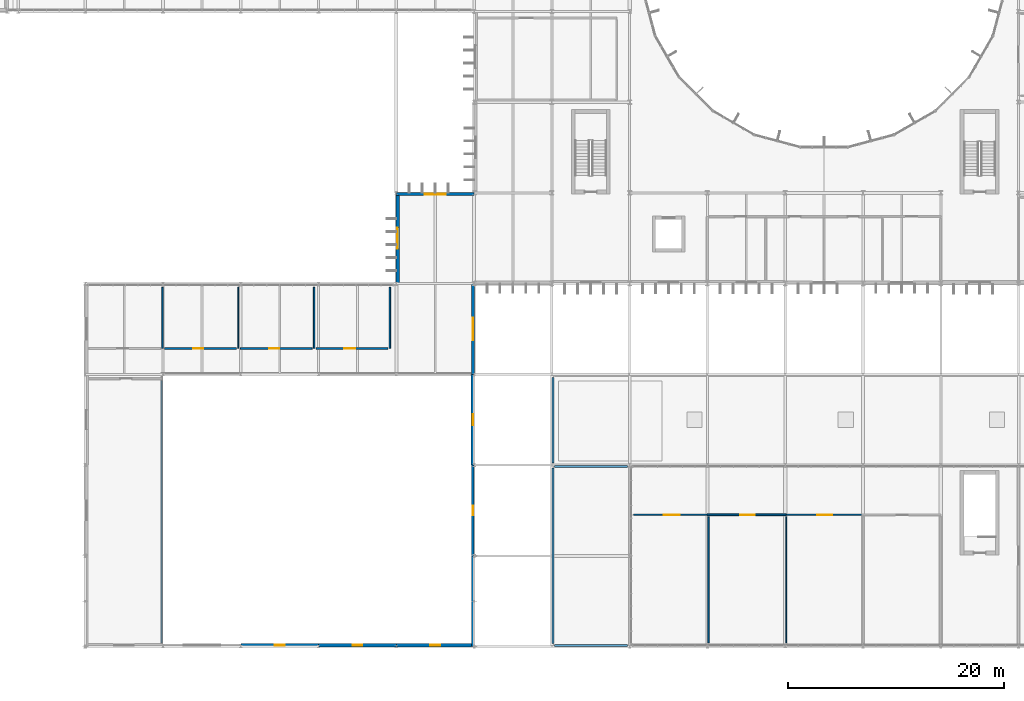
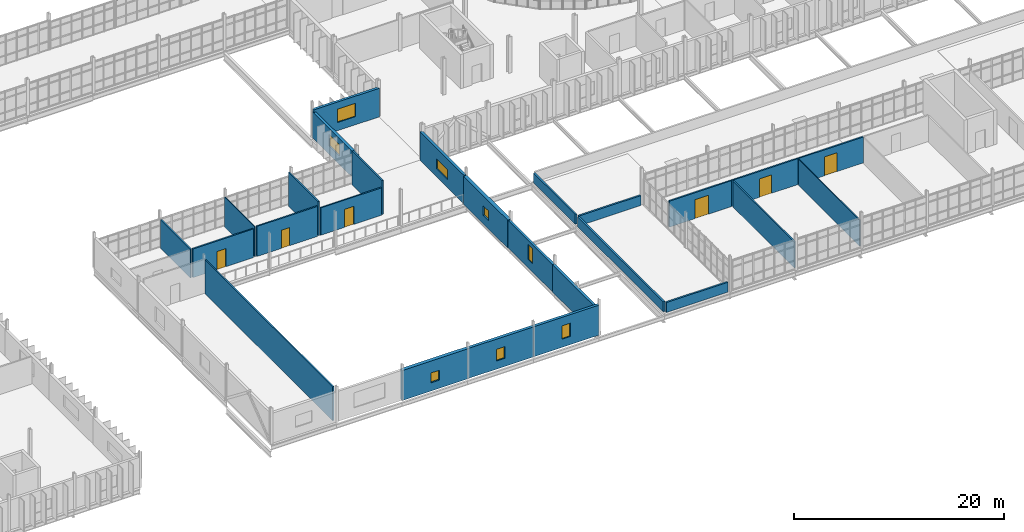
# One storey, part 94 of 119: 26 walls, 8 windows, 6 doors, 14 openings.
"""IFC4 building model written with IfcOpenShell, lengths in metres."""

from ifc_helpers import new_model, si_unit, direction, frame, frame_2d, origin, place, context, subcontext, project, spatial, rectangle, extrude, material, layer, layer_set, type_object, element, fill, save


model = new_model("IFC4")

# Units and contexts
model_context = context("Model", 3, precision=1e-05, world=origin(), true_north=direction((0.0, 1.0)))
body_context = subcontext(model_context, "Body", "Model", "MODEL_VIEW")
ifc_project = project(units=[si_unit("LENGTHUNIT", "METRE"), si_unit("AREAUNIT", "SQUARE_METRE"), si_unit("VOLUMEUNIT", "CUBIC_METRE"), si_unit("PLANEANGLEUNIT", "RADIAN"), si_unit("MASSUNIT", "GRAM", prefix="KILO")], contexts=[model_context])

# Site, building, storey
site_placement = place(None, origin())
site = spatial("IfcSite", under=ifc_project, at=site_placement, CompositionType="ELEMENT")
building_placement = place(site_placement, origin())
building = spatial("IfcBuilding", under=site, at=building_placement, Name="Qelthora Terrace Specialist Clinic", CompositionType="ELEMENT")
storey_placement = place(building_placement, frame((0.0, 0.0, 4.800048828125)))
storey = spatial("IfcBuildingStorey", under=building, at=storey_placement, Name="L01", CompositionType="ELEMENT", Elevation=4.800048828125)

# Wall, opening, window
ifc_material_1 = material(Name="Precast concrete C40/50", Category="concrete")
ifc_layer_1 = layer(ifc_material_1, 0.260009765625)
ifc_layer_set_1 = layer_set([ifc_layer_1], Name="Precast concrete C40/50")
wall_type_1 = type_object("IfcWallType", Name="WAL-EXT-260-PC40", PredefinedType="SOLIDWALL", material=ifc_layer_set_1)
wall_1_placement = place(storey_placement, frame((93.47998046875, 8.39990234375, 0.0), z_axis=(0.0, 0.0, 1.0), x_axis=(0.0, 1.0, 0.0)))
wall_1 = element("IfcWall", 1, at=wall_1_placement, inside=storey, type_object=wall_type_1, Name="L01 external precast wall 429", PredefinedType="SOLIDWALL", context=body_context, shape_type="SweptSolid", body=[
    extrude(rectangle(XDim=8.400146484375, YDim=0.260009765625, at=frame_2d((4.2001953125, 0.0))), origin(), (0.0, 0.0, 1.0), 3.171875),
])
opening_1_placement = place(wall_1_placement, frame((3.75, 0.0, 0.949951171875)))
opening_1 = element("IfcOpeningElement", 2, at=opening_1_placement, cuts=wall_1, Name="Opening WN-L01-384", PredefinedType="OPENING", context=body_context, shape_type="SweptSolid", body=[
    extrude(rectangle(XDim=0.89990234375, YDim=1.75, at=frame_2d((0.449951171875, 0.875))), frame((0.0, 0.139892578125, 0.0), z_axis=(0.0, -1.0, 0.0), x_axis=(1.0, 0.0, 0.0)), (0.0, 0.0, 1.0), 0.280029296875),
])
ifc_material_2 = material(Name="Low-E triple-silver insulating glass", Category="glass")
window_type_1 = type_object("IfcWindowType", Name="WIN-900X1750", PartitioningType="SINGLE_PANEL", PredefinedType="WINDOW", material=ifc_material_2)
window_1_placement = place(opening_1_placement, origin())
window_1 = element("IfcWindow", 3, at=window_1_placement, inside=storey, type_object=window_type_1, Name="Clinical window WN-L01-384", OverallHeight=1.75, OverallWidth=0.89990234375, PartitioningType="SINGLE_PANEL", PredefinedType="WINDOW", context=body_context, shape_type="SweptSolid", body=[
    extrude(rectangle(XDim=0.89990234375, YDim=1.75, at=frame_2d((0.449951171875, 0.875))), frame((0.0, 0.030029296875, 0.0), z_axis=(0.0, -1.0, 0.0), x_axis=(1.0, 0.0, 0.0)), (0.0, 0.0, 1.0), 0.06005859375),
])
fill(opening_1, window_1)

ifc_layer_2 = layer(ifc_material_1, 0.280029296875)
ifc_layer_set_2 = layer_set([ifc_layer_2], Name="Precast concrete C40/50")
wall_type_2 = type_object("IfcWallType", Name="WAL-EXT-280-PC40", PredefinedType="SOLIDWALL", material=ifc_layer_set_2)
wall_2_placement = place(storey_placement, frame((86.39990234375, 41.8798828125, 0.0), z_axis=(0.0, 0.0, 1.0), x_axis=(1.0, 0.0, 0.0)))
wall_2 = element("IfcWall", 4, at=wall_2_placement, inside=storey, type_object=wall_type_2, Name="L01 external precast wall 118", PredefinedType="SOLIDWALL", context=body_context, shape_type="SweptSolid", body=[
    extrude(rectangle(XDim=7.2001953125, YDim=0.280029296875, at=frame_2d((3.60009765625, 0.0))), origin(), (0.0, 0.0, 1.0), 3.324951171875),
])
opening_2_placement = place(wall_2_placement, frame((2.625, 0.0, 0.949951171875)))
opening_2 = element("IfcOpeningElement", 5, at=opening_2_placement, cuts=wall_2, Name="Opening WN-L01-091", PredefinedType="OPENING", context=body_context, shape_type="SweptSolid", body=[
    extrude(rectangle(XDim=1.949951171875, YDim=1.550048828125, at=frame_2d((0.97509765625, 0.77490234375))), frame((0.0, 0.14990234375, 0.0), z_axis=(0.0, -1.0, 0.0), x_axis=(1.0, 0.0, 0.0)), (0.0, 0.0, 1.0), 0.300048828125),
])
window_type_2 = type_object("IfcWindowType", Name="WIN-1950X1550", PartitioningType="DOUBLE_PANEL_VERTICAL", PredefinedType="WINDOW", material=ifc_material_2)
window_2_placement = place(opening_2_placement, origin())
window_2 = element("IfcWindow", 6, at=window_2_placement, inside=storey, type_object=window_type_2, Name="Clinical window WN-L01-091", OverallHeight=1.550048828125, OverallWidth=1.949951171875, PartitioningType="SINGLE_PANEL", PredefinedType="WINDOW", context=body_context, shape_type="SweptSolid", body=[
    extrude(rectangle(XDim=1.949951171875, YDim=1.550048828125, at=frame_2d((0.97509765625, 0.77490234375))), frame((0.0, 0.030029296875, 0.0), z_axis=(0.0, -1.0, 0.0), x_axis=(1.0, 0.0, 0.0)), (0.0, 0.0, 1.0), 0.06005859375),
])
fill(opening_2, window_2)

wall_3_placement = place(storey_placement, frame((93.47998046875, 25.199951171875, 0.0), z_axis=(0.0, 0.0, 1.0), x_axis=(0.0, 1.0, 0.0)))
wall_3 = element("IfcWall", 7, at=wall_3_placement, inside=storey, type_object=wall_type_2, Name="L01 external precast wall 188", PredefinedType="SOLIDWALL", context=body_context, shape_type="SweptSolid", body=[
    extrude(rectangle(XDim=8.400146484375, YDim=0.280029296875, at=frame_2d((4.2001953125, 0.0))), origin(), (0.0, 0.0, 1.0), 3.324951171875),
])
opening_3_placement = place(wall_3_placement, frame((3.14990234375, 0.0, 0.949951171875)))
opening_3 = element("IfcOpeningElement", 8, at=opening_3_placement, cuts=wall_3, Name="Opening WN-L01-157", PredefinedType="OPENING", context=body_context, shape_type="SweptSolid", body=[
    extrude(rectangle(XDim=2.10009765625, YDim=1.14990234375, at=frame_2d((1.050048828125, 0.574951171875))), frame((0.0, 0.14990234375, 0.0), z_axis=(0.0, -1.0, 0.0), x_axis=(1.0, 0.0, 0.0)), (0.0, 0.0, 1.0), 0.300048828125),
])
window_type_3 = type_object("IfcWindowType", Name="WIN-2100X1150", PartitioningType="DOUBLE_PANEL_VERTICAL", PredefinedType="WINDOW", material=ifc_material_2)
window_3_placement = place(opening_3_placement, origin())
window_3 = element("IfcWindow", 9, at=window_3_placement, inside=storey, type_object=window_type_3, Name="Clinical window WN-L01-157", OverallHeight=1.14990234375, OverallWidth=2.10009765625, PartitioningType="SINGLE_PANEL", PredefinedType="WINDOW", context=body_context, shape_type="SweptSolid", body=[
    extrude(rectangle(XDim=2.10009765625, YDim=1.14990234375, at=frame_2d((1.050048828125, 0.574951171875))), frame((0.0, 0.030029296875, 0.0), z_axis=(0.0, -1.0, 0.0), x_axis=(1.0, 0.0, 0.0)), (0.0, 0.0, 1.0), 0.06005859375),
])
fill(opening_3, window_3)

# Wall
wall_4_placement = place(storey_placement, frame((93.47998046875, 0.0, 0.0), z_axis=(0.0, 0.0, 1.0), x_axis=(0.0, 1.0, 0.0)))
element("IfcWall", 10, at=wall_4_placement, inside=storey, type_object=wall_type_2, Name="L01 external precast wall 428", PredefinedType="SOLIDWALL", context=body_context, shape_type="SweptSolid", body=[
    extrude(rectangle(XDim=8.39990234375, YDim=0.280029296875, at=frame_2d((4.199951171875, 0.0))), origin(), (0.0, 0.0, 1.0), 3.171875),
])

# Wall, opening, window
ifc_layer_3 = layer(ifc_material_1, 0.300048828125)
ifc_layer_set_3 = layer_set([ifc_layer_3], Name="Precast concrete C40/50")
wall_type_3 = type_object("IfcWallType", Name="WAL-EXT-300-PC40", PredefinedType="SOLIDWALL", material=ifc_layer_set_3)
wall_5_placement = place(storey_placement, frame((86.52001953125, 33.60009765625, 0.0), z_axis=(0.0, 0.0, 1.0), x_axis=(0.0, 1.0, 0.0)))
wall_5 = element("IfcWall", 11, at=wall_5_placement, inside=storey, type_object=wall_type_3, Name="L01 external precast wall 117", PredefinedType="SOLIDWALL", context=body_context, shape_type="SweptSolid", body=[
    extrude(rectangle(XDim=8.39990234375, YDim=0.300048828125, at=frame_2d((4.199951171875, 0.0))), origin(), (0.0, 0.0, 1.0), 3.014892578125),
])
opening_4_placement = place(wall_5_placement, frame((3.22509765625, 0.0, 0.949951171875)))
opening_4 = element("IfcOpeningElement", 12, at=opening_4_placement, cuts=wall_5, Name="Opening WN-L01-090", PredefinedType="OPENING", context=body_context, shape_type="SweptSolid", body=[
    extrude(rectangle(XDim=1.949951171875, YDim=1.35009765625, at=frame_2d((0.97509765625, 0.675048828125))), frame((0.0, 0.159912109375, 0.0), z_axis=(0.0, -1.0, 0.0), x_axis=(1.0, 0.0, 0.0)), (0.0, 0.0, 1.0), 0.320068359375),
])
window_type_4 = type_object("IfcWindowType", Name="WIN-1950X1350", PartitioningType="DOUBLE_PANEL_VERTICAL", PredefinedType="WINDOW", material=ifc_material_2)
window_4_placement = place(opening_4_placement, origin())
window_4 = element("IfcWindow", 13, at=window_4_placement, inside=storey, type_object=window_type_4, Name="Clinical window WN-L01-090", OverallHeight=1.35009765625, OverallWidth=1.949951171875, PartitioningType="SINGLE_PANEL", PredefinedType="WINDOW", context=body_context, shape_type="SweptSolid", body=[
    extrude(rectangle(XDim=1.949951171875, YDim=1.35009765625, at=frame_2d((0.97509765625, 0.675048828125))), frame((0.0, 0.030029296875, 0.0), z_axis=(0.0, -1.0, 0.0), x_axis=(1.0, 0.0, 0.0)), (0.0, 0.0, 1.0), 0.06005859375),
])
fill(opening_4, window_4)

wall_6_placement = place(storey_placement, frame((86.39990234375, 0.1201171875, 0.0), z_axis=(0.0, 0.0, 1.0), x_axis=(1.0, 0.0, 0.0)))
wall_6 = element("IfcWall", 14, at=wall_6_placement, inside=storey, type_object=wall_type_3, Name="L01 external precast wall 427", PredefinedType="SOLIDWALL", context=body_context, shape_type="SweptSolid", body=[
    extrude(rectangle(XDim=7.2001953125, YDim=0.300048828125, at=frame_2d((3.60009765625, 0.0))), origin(), (0.0, 0.0, 1.0), 3.48193359375),
])
opening_5_placement = place(wall_6_placement, frame((3.14990234375, 0.0, 0.949951171875)))
opening_5 = element("IfcOpeningElement", 15, at=opening_5_placement, cuts=wall_6, Name="Opening WN-L01-383", PredefinedType="OPENING", context=body_context, shape_type="SweptSolid", body=[
    extrude(rectangle(XDim=0.89990234375, YDim=1.550048828125, at=frame_2d((0.449951171875, 0.77490234375))), frame((0.0, 0.159912109375, 0.0), z_axis=(0.0, -1.0, 0.0), x_axis=(1.0, 0.0, 0.0)), (0.0, 0.0, 1.0), 0.320068359375),
])
window_type_5 = type_object("IfcWindowType", Name="WIN-900X1550", PartitioningType="SINGLE_PANEL", PredefinedType="WINDOW", material=ifc_material_2)
window_5_placement = place(opening_5_placement, origin())
window_5 = element("IfcWindow", 16, at=window_5_placement, inside=storey, type_object=window_type_5, Name="Clinical window WN-L01-383", OverallHeight=1.550048828125, OverallWidth=0.89990234375, PartitioningType="SINGLE_PANEL", PredefinedType="WINDOW", context=body_context, shape_type="SweptSolid", body=[
    extrude(rectangle(XDim=0.89990234375, YDim=1.550048828125, at=frame_2d((0.449951171875, 0.77490234375))), frame((0.0, 0.030029296875, 0.0), z_axis=(0.0, -1.0, 0.0), x_axis=(1.0, 0.0, 0.0)), (0.0, 0.0, 1.0), 0.06005859375),
])
fill(opening_5, window_5)

ifc_layer_4 = layer(ifc_material_1, 0.320068359375)
ifc_layer_set_4 = layer_set([ifc_layer_4], Name="Precast concrete C40/50")
wall_type_4 = type_object("IfcWallType", Name="WAL-EXT-320-PC40", PredefinedType="SOLIDWALL", material=ifc_layer_set_4)
wall_7_placement = place(storey_placement, frame((79.199951171875, 0.1201171875, 0.0), z_axis=(0.0, 0.0, 1.0), x_axis=(1.0, 0.0, 0.0)))
wall_7 = element("IfcWall", 17, at=wall_7_placement, inside=storey, type_object=wall_type_4, Name="L01 external precast wall 426", PredefinedType="SOLIDWALL", context=body_context, shape_type="SweptSolid", body=[
    extrude(rectangle(XDim=7.199951171875, YDim=0.320068359375, at=frame_2d((3.60009765625, 0.0))), origin(), (0.0, 0.0, 1.0), 3.48193359375),
])
opening_6_placement = place(wall_7_placement, frame((3.14990234375, 0.0, 0.949951171875)))
opening_6 = element("IfcOpeningElement", 18, at=opening_6_placement, cuts=wall_7, Name="Opening WN-L01-382", PredefinedType="OPENING", context=body_context, shape_type="SweptSolid", body=[
    extrude(rectangle(XDim=0.89990234375, YDim=1.35009765625, at=frame_2d((0.449951171875, 0.675048828125))), frame((0.0, 0.169921875, 0.0), z_axis=(0.0, -1.0, 0.0), x_axis=(1.0, 0.0, 0.0)), (0.0, 0.0, 1.0), 0.340087890625),
])
window_type_6 = type_object("IfcWindowType", Name="WIN-900X1350", PartitioningType="SINGLE_PANEL", PredefinedType="WINDOW", material=ifc_material_2)
window_6_placement = place(opening_6_placement, origin())
window_6 = element("IfcWindow", 19, at=window_6_placement, inside=storey, type_object=window_type_6, Name="Clinical window WN-L01-382", OverallHeight=1.35009765625, OverallWidth=0.89990234375, PartitioningType="SINGLE_PANEL", PredefinedType="WINDOW", context=body_context, shape_type="SweptSolid", body=[
    extrude(rectangle(XDim=0.89990234375, YDim=1.35009765625, at=frame_2d((0.449951171875, 0.675048828125))), frame((0.0, 0.030029296875, 0.0), z_axis=(0.0, -1.0, 0.0), x_axis=(1.0, 0.0, 0.0)), (0.0, 0.0, 1.0), 0.06005859375),
])
fill(opening_6, window_6)

ifc_layer_5 = layer(ifc_material_1, 0.3798828125)
ifc_layer_set_5 = layer_set([ifc_layer_5], Name="Precast concrete C40/50")
wall_type_5 = type_object("IfcWallType", Name="WAL-EXT-380-PC40", PredefinedType="SOLIDWALL", material=ifc_layer_set_5)
wall_8_placement = place(storey_placement, frame((72.0, 0.1201171875, 0.0), z_axis=(0.0, 0.0, 1.0), x_axis=(1.0, 0.0, 0.0)))
wall_8 = element("IfcWall", 20, at=wall_8_placement, inside=storey, type_object=wall_type_5, Name="L01 external precast wall 425", PredefinedType="SOLIDWALL", context=body_context, shape_type="SweptSolid", body=[
    extrude(rectangle(XDim=7.199951171875, YDim=0.3798828125, at=frame_2d((3.60009765625, 0.0))), origin(), (0.0, 0.0, 1.0), 3.48193359375),
])
opening_7_placement = place(wall_8_placement, frame((3.14990234375, 0.0, 0.949951171875)))
opening_7 = element("IfcOpeningElement", 21, at=opening_7_placement, cuts=wall_8, Name="Opening WN-L01-381", PredefinedType="OPENING", context=body_context, shape_type="SweptSolid", body=[
    extrude(rectangle(XDim=0.89990234375, YDim=1.14990234375, at=frame_2d((0.449951171875, 0.574951171875))), frame((0.0, 0.199951171875, 0.0), z_axis=(0.0, -1.0, 0.0), x_axis=(1.0, 0.0, 0.0)), (0.0, 0.0, 1.0), 0.39990234375),
])
window_type_7 = type_object("IfcWindowType", Name="WIN-900X1150", PartitioningType="SINGLE_PANEL", PredefinedType="WINDOW", material=ifc_material_2)
window_7_placement = place(opening_7_placement, origin())
window_7 = element("IfcWindow", 22, at=window_7_placement, inside=storey, type_object=window_type_7, Name="Clinical window WN-L01-381", OverallHeight=1.14990234375, OverallWidth=0.89990234375, PartitioningType="SINGLE_PANEL", PredefinedType="WINDOW", context=body_context, shape_type="SweptSolid", body=[
    extrude(rectangle(XDim=0.89990234375, YDim=1.14990234375, at=frame_2d((0.449951171875, 0.574951171875))), frame((0.0, 0.030029296875, 0.0), z_axis=(0.0, -1.0, 0.0), x_axis=(1.0, 0.0, 0.0)), (0.0, 0.0, 1.0), 0.06005859375),
])
fill(opening_7, window_7)

wall_9_placement = place(storey_placement, frame((93.47998046875, 16.800048828125, 0.0), z_axis=(0.0, 0.0, 1.0), x_axis=(0.0, 1.0, 0.0)))
wall_9 = element("IfcWall", 23, at=wall_9_placement, inside=storey, type_object=wall_type_5, Name="L01 external precast wall 430", PredefinedType="SOLIDWALL", context=body_context, shape_type="SweptSolid", body=[
    extrude(rectangle(XDim=8.39990234375, YDim=0.3798828125, at=frame_2d((4.199951171875, 0.0))), origin(), (0.0, 0.0, 1.0), 3.2490234375),
])
opening_8_placement = place(wall_9_placement, frame((3.675048828125, 0.0, 0.949951171875)))
opening_8 = element("IfcOpeningElement", 24, at=opening_8_placement, cuts=wall_9, Name="Opening WN-L01-385", PredefinedType="OPENING", context=body_context, shape_type="SweptSolid", body=[
    extrude(rectangle(XDim=1.050048828125, YDim=1.14990234375, at=frame_2d((0.52490234375, 0.574951171875))), frame((0.0, 0.199951171875, 0.0), z_axis=(0.0, -1.0, 0.0), x_axis=(1.0, 0.0, 0.0)), (0.0, 0.0, 1.0), 0.39990234375),
])
window_type_8 = type_object("IfcWindowType", Name="WIN-1050X1150", PartitioningType="SINGLE_PANEL", PredefinedType="WINDOW", material=ifc_material_2)
window_8_placement = place(opening_8_placement, origin())
window_8 = element("IfcWindow", 25, at=window_8_placement, inside=storey, type_object=window_type_8, Name="Clinical window WN-L01-385", OverallHeight=1.14990234375, OverallWidth=1.050048828125, PartitioningType="SINGLE_PANEL", PredefinedType="WINDOW", context=body_context, shape_type="SweptSolid", body=[
    extrude(rectangle(XDim=1.050048828125, YDim=1.14990234375, at=frame_2d((0.52490234375, 0.574951171875))), frame((0.0, 0.030029296875, 0.0), z_axis=(0.0, -1.0, 0.0), x_axis=(1.0, 0.0, 0.0)), (0.0, 0.0, 1.0), 0.06005859375),
])
fill(opening_8, window_8)

# Wall
ifc_material_3 = material(Name="Gypsum acoustic wallboard", Category="gypsum")
ifc_layer_6 = layer(ifc_material_3, 0.139892578125)
ifc_layer_set_6 = layer_set([ifc_layer_6], Name="Gypsum acoustic wallboard")
wall_type_6 = type_object("IfcWallType", Name="WAL-INT-ACU-140", PredefinedType="PARTITIONING", material=ifc_layer_set_6)
wall_10_placement = place(storey_placement, frame((78.78759765625, 33.260009765625, 0.0), z_axis=(0.0, 0.0, 1.0), x_axis=(0.0, -1.0, 0.0)))
element("IfcWall", 26, at=wall_10_placement, inside=storey, type_object=wall_type_6, Name="Interior clinical partition IWAL-L01-0151", PredefinedType="PARTITIONING", context=body_context, shape_type="SweptSolid", body=[
    extrude(rectangle(XDim=5.659912109375, YDim=0.139892578125, at=frame_2d((2.830078125, 0.0))), origin(), (0.0, 0.0, 1.0), 3.945068359375),
])

# Wall, opening, door
ifc_material_4 = material(Name="Gypsum fire-rated wallboard", Category="gypsum")
ifc_layer_7 = layer(ifc_material_4, 0.159912109375)
ifc_layer_set_7 = layer_set([ifc_layer_7], Name="Gypsum fire-rated wallboard")
wall_type_7 = type_object("IfcWallType", Name="WAL-INT-COR-160", PredefinedType="PARTITIONING", material=ifc_layer_set_7)
wall_11_placement = place(storey_placement, frame((71.594970703125, 27.60009765625, 0.0), z_axis=(0.0, 0.0, 1.0), x_axis=(-1.0, 0.0, 0.0)))
wall_11 = element("IfcWall", 27, at=wall_11_placement, inside=storey, type_object=wall_type_7, Name="Interior clinical partition IWAL-L01-0150", PredefinedType="PARTITIONING", context=body_context, shape_type="SweptSolid", body=[
    extrude(rectangle(XDim=6.652587890625, YDim=0.159912109375, at=frame_2d((3.326171875, 0.0))), origin(), (0.0, 0.0, 1.0), 3.327880859375),
])
opening_9_placement = place(wall_11_placement, frame((3.04638671875, 0.0, 0.0)))
opening_9 = element("IfcOpeningElement", 28, at=opening_9_placement, cuts=wall_11, Name="Opening DI-L01-0057", PredefinedType="OPENING", context=body_context, shape_type="SweptSolid", body=[
    extrude(rectangle(XDim=0.9599609375, YDim=2.10009765625, at=frame_2d((0.47998046875, 1.050048828125))), frame((0.0, 0.08984375, 0.0), z_axis=(0.0, -1.0, 0.0), x_axis=(1.0, 0.0, 0.0)), (0.0, 0.0, 1.0), 0.179931640625),
])
ifc_material_5 = material(Name="Glulam timber GL28h", Category="wood")
door_type_1 = type_object("IfcDoorType", Name="DOR-CON-960X2100", OperationType="NOTDEFINED", PredefinedType="DOOR", material=ifc_material_5)
door_1_placement = place(opening_9_placement, frame((0.9599609375, 0.0, 0.0), z_axis=(0.0, 0.0, 1.0), x_axis=(-1.0, 0.0, 0.0)))
door_1 = element("IfcDoor", 29, at=door_1_placement, inside=storey, type_object=door_type_1, Name="Interior clinical door DI-L01-0057", OperationType="SINGLE_SWING_RIGHT", OverallHeight=2.10009765625, OverallWidth=0.9599609375, PredefinedType="DOOR", context=body_context, shape_type="SweptSolid", body=[
    extrude(rectangle(XDim=0.9599609375, YDim=2.10009765625, at=frame_2d((0.47998046875, 1.050048828125))), frame((0.0, 0.02490234375, 0.0), z_axis=(0.0, -1.0, 0.0), x_axis=(1.0, 0.0, 0.0)), (0.0, 0.0, 1.0), 0.050048828125),
])
fill(opening_9, door_1)

wall_12_placement = place(storey_placement, frame((78.607421875, 27.60009765625, 0.0), z_axis=(0.0, 0.0, 1.0), x_axis=(-1.0, 0.0, 0.0)))
wall_12 = element("IfcWall", 30, at=wall_12_placement, inside=storey, type_object=wall_type_7, Name="Interior clinical partition IWAL-L01-0152", PredefinedType="PARTITIONING", context=body_context, shape_type="SweptSolid", body=[
    extrude(rectangle(XDim=6.65234375, YDim=0.159912109375, at=frame_2d((3.326171875, 0.0))), origin(), (0.0, 0.0, 1.0), 3.48486328125),
])
opening_10_placement = place(wall_12_placement, frame((3.066162109375, 0.0, 0.0)))
opening_10 = element("IfcOpeningElement", 31, at=opening_10_placement, cuts=wall_12, Name="Opening DI-L01-0058", PredefinedType="OPENING", context=body_context, shape_type="SweptSolid", body=[
    extrude(rectangle(XDim=0.919921875, YDim=2.10009765625, at=frame_2d((0.4599609375, 1.050048828125))), frame((0.0, 0.08984375, 0.0), z_axis=(0.0, -1.0, 0.0), x_axis=(1.0, 0.0, 0.0)), (0.0, 0.0, 1.0), 0.179931640625),
])
door_type_2 = type_object("IfcDoorType", Name="DOR-CON-920X2100", OperationType="NOTDEFINED", PredefinedType="DOOR", material=ifc_material_5)
door_2_placement = place(opening_10_placement, frame((0.919921875, 0.0, 0.0), z_axis=(0.0, 0.0, 1.0), x_axis=(-1.0, 0.0, 0.0)))
door_2 = element("IfcDoor", 32, at=door_2_placement, inside=storey, type_object=door_type_2, Name="Interior clinical door DI-L01-0058", OperationType="SINGLE_SWING_LEFT", OverallHeight=2.10009765625, OverallWidth=0.919921875, PredefinedType="DOOR", context=body_context, shape_type="SweptSolid", body=[
    extrude(rectangle(XDim=0.919921875, YDim=2.10009765625, at=frame_2d((0.4599609375, 1.050048828125))), frame((0.0, 0.02490234375, 0.0), z_axis=(0.0, -1.0, 0.0), x_axis=(1.0, 0.0, 0.0)), (0.0, 0.0, 1.0), 0.050048828125),
])
fill(opening_10, door_2)

wall_13_placement = place(storey_placement, frame((108.340087890625, 12.199951171875, 0.0), z_axis=(0.0, 0.0, 1.0), x_axis=(1.0, 0.0, 0.0)))
wall_13 = element("IfcWall", 33, at=wall_13_placement, inside=storey, type_object=wall_type_7, Name="Interior clinical partition IWAL-L01-0170", PredefinedType="PARTITIONING", context=body_context, shape_type="SweptSolid", body=[
    extrude(rectangle(XDim=6.972412109375, YDim=0.159912109375, at=frame_2d((3.486328125, 0.0))), origin(), (0.0, 0.0, 1.0), 3.01806640625),
])
opening_11_placement = place(wall_13_placement, frame((2.80615234375, 0.0, 0.0)))
opening_11 = element("IfcOpeningElement", 34, at=opening_11_placement, cuts=wall_13, Name="Opening DI-L01-0068", PredefinedType="OPENING", context=body_context, shape_type="SweptSolid", body=[
    extrude(rectangle(XDim=1.5, YDim=2.199951171875, at=frame_2d((0.75, 1.10009765625))), frame((0.0, 0.08984375, 0.0), z_axis=(0.0, -1.0, 0.0), x_axis=(1.0, 0.0, 0.0)), (0.0, 0.0, 1.0), 0.179931640625),
])
ifc_material_6 = material(Name="Steel S355", Category="steel")
door_type_3 = type_object("IfcDoorType", Name="DOR-OR-1500X2200", OperationType="NOTDEFINED", PredefinedType="DOOR", material=ifc_material_6)
door_3_placement = place(opening_11_placement, frame((1.5, 0.0, 0.0), z_axis=(0.0, 0.0, 1.0), x_axis=(-1.0, 0.0, 0.0)))
door_3 = element("IfcDoor", 35, at=door_3_placement, inside=storey, type_object=door_type_3, Name="Interior clinical door DI-L01-0068", OperationType="SINGLE_SWING_LEFT", OverallHeight=2.199951171875, OverallWidth=1.5, PredefinedType="DOOR", context=body_context, shape_type="SweptSolid", body=[
    extrude(rectangle(XDim=1.5, YDim=2.199951171875, at=frame_2d((0.75, 1.10009765625))), frame((0.0, 0.02490234375, 0.0), z_axis=(0.0, -1.0, 0.0), x_axis=(1.0, 0.0, 0.0)), (0.0, 0.0, 1.0), 0.050048828125),
])
fill(opening_11, door_3)

wall_14_placement = place(storey_placement, frame((115.177490234375, 12.199951171875, 0.0), z_axis=(0.0, 0.0, 1.0), x_axis=(1.0, 0.0, 0.0)))
wall_14 = element("IfcWall", 36, at=wall_14_placement, inside=storey, type_object=wall_type_7, Name="Interior clinical partition IWAL-L01-0172", PredefinedType="PARTITIONING", context=body_context, shape_type="SweptSolid", body=[
    extrude(rectangle(XDim=7.297607421875, YDim=0.159912109375, at=frame_2d((3.64892578125, 0.0))), origin(), (0.0, 0.0, 1.0), 3.01806640625),
])
opening_12_placement = place(wall_14_placement, frame((3.043701171875, 0.0, 0.0)))
opening_12 = element("IfcOpeningElement", 37, at=opening_12_placement, cuts=wall_14, Name="Opening DI-L01-0069", PredefinedType="OPENING", context=body_context, shape_type="SweptSolid", body=[
    extrude(rectangle(XDim=1.35009765625, YDim=2.14990234375, at=frame_2d((0.675048828125, 1.074951171875))), frame((0.0, 0.08984375, 0.0), z_axis=(0.0, -1.0, 0.0), x_axis=(1.0, 0.0, 0.0)), (0.0, 0.0, 1.0), 0.179931640625),
])
door_type_4 = type_object("IfcDoorType", Name="DOR-IMG-1350X2150", OperationType="NOTDEFINED", PredefinedType="DOOR", material=ifc_material_6)
door_4_placement = place(opening_12_placement, frame((1.35009765625, 0.0, 0.0), z_axis=(0.0, 0.0, 1.0), x_axis=(-1.0, 0.0, 0.0)))
door_4 = element("IfcDoor", 38, at=door_4_placement, inside=storey, type_object=door_type_4, Name="Interior clinical door DI-L01-0069", OperationType="SINGLE_SWING_RIGHT", OverallHeight=2.14990234375, OverallWidth=1.35009765625, PredefinedType="DOOR", context=body_context, shape_type="SweptSolid", body=[
    extrude(rectangle(XDim=1.35009765625, YDim=2.14990234375, at=frame_2d((0.675048828125, 1.074951171875))), frame((0.0, 0.02490234375, 0.0), z_axis=(0.0, -1.0, 0.0), x_axis=(1.0, 0.0, 0.0)), (0.0, 0.0, 1.0), 0.050048828125),
])
fill(opening_12, door_4)

wall_15_placement = place(storey_placement, frame((122.340087890625, 12.199951171875, 0.0), z_axis=(0.0, 0.0, 1.0), x_axis=(1.0, 0.0, 0.0)))
wall_15 = element("IfcWall", 39, at=wall_15_placement, inside=storey, type_object=wall_type_7, Name="Interior clinical partition IWAL-L01-0174", PredefinedType="PARTITIONING", context=body_context, shape_type="SweptSolid", body=[
    extrude(rectangle(XDim=7.29736328125, YDim=0.159912109375, at=frame_2d((3.648681640625, 0.0))), origin(), (0.0, 0.0, 1.0), 3.01806640625),
])
opening_13_placement = place(wall_15_placement, frame((3.018798828125, 0.0, 0.0)))
opening_13 = element("IfcOpeningElement", 40, at=opening_13_placement, cuts=wall_15, Name="Opening DI-L01-0070", PredefinedType="OPENING", context=body_context, shape_type="SweptSolid", body=[
    extrude(rectangle(XDim=1.39990234375, YDim=2.199951171875, at=frame_2d((0.699951171875, 1.10009765625))), frame((0.0, 0.08984375, 0.0), z_axis=(0.0, -1.0, 0.0), x_axis=(1.0, 0.0, 0.0)), (0.0, 0.0, 1.0), 0.179931640625),
])
door_type_5 = type_object("IfcDoorType", Name="DOR-MRI-1400X2200", OperationType="NOTDEFINED", PredefinedType="DOOR", material=ifc_material_6)
door_5_placement = place(opening_13_placement, frame((1.39990234375, 0.0, 0.0), z_axis=(0.0, 0.0, 1.0), x_axis=(-1.0, 0.0, 0.0)))
door_5 = element("IfcDoor", 41, at=door_5_placement, inside=storey, type_object=door_type_5, Name="Interior clinical door DI-L01-0070", OperationType="SINGLE_SWING_LEFT", OverallHeight=2.199951171875, OverallWidth=1.39990234375, PredefinedType="DOOR", context=body_context, shape_type="SweptSolid", body=[
    extrude(rectangle(XDim=1.39990234375, YDim=2.199951171875, at=frame_2d((0.699951171875, 1.10009765625))), frame((0.0, 0.02490234375, 0.0), z_axis=(0.0, -1.0, 0.0), x_axis=(1.0, 0.0, 0.0)), (0.0, 0.0, 1.0), 0.050048828125),
])
fill(opening_13, door_5)

# Walls
ifc_layer_8 = layer(ifc_material_3, 0.10009765625)
ifc_layer_set_8 = layer_set([ifc_layer_8], Name="Gypsum acoustic wallboard")
wall_type_8 = type_object("IfcWallType", Name="WAL-INT-LGT-100", PredefinedType="PARTITIONING", material=ifc_layer_set_8)
wall_16_placement = place(storey_placement, frame((71.77490234375, 33.260009765625, 0.0), z_axis=(0.0, 0.0, 1.0), x_axis=(0.0, -1.0, 0.0)))
element("IfcWall", 42, at=wall_16_placement, inside=storey, type_object=wall_type_8, Name="Interior clinical partition IWAL-L01-0149", PredefinedType="PARTITIONING", context=body_context, shape_type="SweptSolid", body=[
    extrude(rectangle(XDim=5.659912109375, YDim=0.10009765625, at=frame_2d((2.830078125, 0.0))), origin(), (0.0, 0.0, 1.0), 3.48486328125),
])
wall_17_placement = place(storey_placement, frame((122.47509765625, 12.02001953125, 0.0), z_axis=(0.0, 0.0, 1.0), x_axis=(0.0, -1.0, 0.0)))
element("IfcWall", 43, at=wall_17_placement, inside=storey, type_object=wall_type_8, Name="Interior clinical partition IWAL-L01-0173", PredefinedType="PARTITIONING", context=body_context, shape_type="SweptSolid", body=[
    extrude(rectangle(XDim=11.679931640625, YDim=0.10009765625, at=frame_2d((5.83984375, 0.0))), origin(), (0.0, 0.0, 1.0), 3.01806640625),
])
ifc_material_7 = material(Name="Gypsum moisture-resistant", Category="gypsum")
ifc_layer_9 = layer(ifc_material_7, 0.14990234375)
ifc_layer_set_9 = layer_set([ifc_layer_9], Name="Gypsum moisture-resistant")
wall_type_9 = type_object("IfcWallType", Name="WAL-INT-WET-150", PredefinedType="PLUMBINGWALL", material=ifc_layer_set_9)
wall_18_placement = place(storey_placement, frame((64.64990234375, 24.6201171875, 0.0), z_axis=(0.0, 0.0, 1.0), x_axis=(0.0, -1.0, 0.0)))
element("IfcWall", 44, at=wall_18_placement, inside=storey, type_object=wall_type_9, Name="Interior clinical partition IWAL-L01-0146", PredefinedType="PLUMBINGWALL", context=body_context, shape_type="SweptSolid", body=[
    extrude(rectangle(XDim=24.280029296875, YDim=0.14990234375, at=frame_2d((12.14013671875, 0.0))), origin(), (0.0, 0.0, 1.0), 3.945068359375),
])
wall_19_placement = place(storey_placement, frame((64.762451171875, 33.260009765625, 0.0), z_axis=(0.0, 0.0, 1.0), x_axis=(0.0, -1.0, 0.0)))
element("IfcWall", 45, at=wall_19_placement, inside=storey, type_object=wall_type_9, Name="Interior clinical partition IWAL-L01-0147", PredefinedType="PLUMBINGWALL", context=body_context, shape_type="SweptSolid", body=[
    extrude(rectangle(XDim=5.659912109375, YDim=0.14990234375, at=frame_2d((2.830078125, 0.0))), origin(), (0.0, 0.0, 1.0), 3.327880859375),
])
wall_20_placement = place(storey_placement, frame((85.800048828125, 33.260009765625, 0.0), z_axis=(0.0, 0.0, 1.0), x_axis=(0.0, -1.0, 0.0)))
element("IfcWall", 46, at=wall_20_placement, inside=storey, type_object=wall_type_9, Name="Interior clinical partition IWAL-L01-0153", PredefinedType="PLUMBINGWALL", context=body_context, shape_type="SweptSolid", body=[
    extrude(rectangle(XDim=5.659912109375, YDim=0.14990234375, at=frame_2d((2.830078125, 0.0))), origin(), (0.0, 0.0, 1.0), 3.945068359375),
])

# Wall, opening, door
wall_21_placement = place(storey_placement, frame((85.6201171875, 27.60009765625, 0.0), z_axis=(0.0, 0.0, 1.0), x_axis=(-1.0, 0.0, 0.0)))
wall_21 = element("IfcWall", 47, at=wall_21_placement, inside=storey, type_object=wall_type_9, Name="Interior clinical partition IWAL-L01-0154", PredefinedType="PLUMBINGWALL", context=body_context, shape_type="SweptSolid", body=[
    extrude(rectangle(XDim=6.652587890625, YDim=0.14990234375, at=frame_2d((3.326171875, 0.0))), origin(), (0.0, 0.0, 1.0), 3.175048828125),
])
opening_14_placement = place(wall_21_placement, frame((3.026123046875, 0.0, 0.0)))
opening_14 = element("IfcOpeningElement", 48, at=opening_14_placement, cuts=wall_21, Name="Opening DI-L01-0059", PredefinedType="OPENING", context=body_context, shape_type="SweptSolid", body=[
    extrude(rectangle(XDim=1.0, YDim=2.10009765625, at=frame_2d((0.5, 1.050048828125))), frame((0.0, 0.0849609375, 0.0), z_axis=(0.0, -1.0, 0.0), x_axis=(1.0, 0.0, 0.0)), (0.0, 0.0, 1.0), 0.169921875),
])
door_type_6 = type_object("IfcDoorType", Name="DOR-AWC-1000X2100", OperationType="NOTDEFINED", PredefinedType="DOOR", material=ifc_material_5)
door_6_placement = place(opening_14_placement, frame((1.0, 0.0, 0.0), z_axis=(0.0, 0.0, 1.0), x_axis=(-1.0, 0.0, 0.0)))
door_6 = element("IfcDoor", 49, at=door_6_placement, inside=storey, type_object=door_type_6, Name="Interior clinical door DI-L01-0059", OperationType="SINGLE_SWING_RIGHT", OverallHeight=2.10009765625, OverallWidth=1.0, PredefinedType="DOOR", context=body_context, shape_type="SweptSolid", body=[
    extrude(rectangle(XDim=1.0, YDim=2.10009765625, at=frame_2d((0.5, 1.050048828125))), frame((0.0, 0.02490234375, 0.0), z_axis=(0.0, -1.0, 0.0), x_axis=(1.0, 0.0, 0.0)), (0.0, 0.0, 1.0), 0.050048828125),
])
fill(opening_14, door_6)

# Walls
wall_22_placement = place(storey_placement, frame((115.3125, 12.02001953125, 0.0), z_axis=(0.0, 0.0, 1.0), x_axis=(0.0, -1.0, 0.0)))
element("IfcWall", 50, at=wall_22_placement, inside=storey, type_object=wall_type_9, Name="Interior clinical partition IWAL-L01-0171", PredefinedType="PLUMBINGWALL", context=body_context, shape_type="SweptSolid", body=[
    extrude(rectangle(XDim=11.679931640625, YDim=0.14990234375, at=frame_2d((5.83984375, 0.0))), origin(), (0.0, 0.0, 1.0), 3.01806640625),
])
ifc_layer_10 = layer(ifc_material_1, 0.18994140625)
ifc_layer_set_10 = layer_set([ifc_layer_10], Name="Precast concrete C40/50")
wall_type_10 = type_object("IfcWallType", Name="WAL-PAR-190-PC40", PredefinedType="PARAPET", material=ifc_layer_set_10)
wall_23_placement = place(storey_placement, frame((100.909912109375, 24.923095703125, 0.0), z_axis=(0.0, 0.0, 1.0), x_axis=(0.0, -1.0, 0.0)))
element("IfcWall", 51, at=wall_23_placement, inside=storey, type_object=wall_type_10, Name="Roof perimeter parapet ROOF-V3-LOW1-3", PredefinedType="PARAPET", context=body_context, shape_type="SweptSolid", body=[
    extrude(rectangle(XDim=7.903076171875, YDim=0.18994140625, at=frame_2d((3.95166015625, 0.0))), origin(), (0.0, 0.0, 1.0), 1.14990234375),
])
for number, where, z_axis, x_axis, name in (
    (52, (101.02001953125, 0.110107421875, 0.0), (0.0, 0.0, 1.0), (1.0, 0.0, 0.0), "Roof perimeter parapet ROOF-V3-LOW3-1"),
    (53, (107.780029296875, 16.68994140625, 0.0), (0.0, 0.0, 1.0), (-1.0, 0.0, 0.0), "Roof perimeter parapet ROOF-V3-LOW3-2"),
):
    element("IfcWall", number, at=place(storey_placement, frame(where, z_axis=z_axis, x_axis=x_axis)), inside=storey, type_object=wall_type_10, Name=name, PredefinedType="PARAPET", context=body_context, shape_type="SweptSolid", body=[
        extrude(rectangle(XDim=6.760009765625, YDim=0.18994140625, at=frame_2d((3.3798828125, 0.0))), origin(), (0.0, 0.0, 1.0), 1.14990234375),
    ])
wall_24_placement = place(storey_placement, frame((100.909912109375, 16.52294921875, 0.0), z_axis=(0.0, 0.0, 1.0), x_axis=(0.0, -1.0, 0.0)))
element("IfcWall", 54, at=wall_24_placement, inside=storey, type_object=wall_type_10, Name="Roof perimeter parapet ROOF-V3-LOW3-3", PredefinedType="PARAPET", context=body_context, shape_type="SweptSolid", body=[
    extrude(rectangle(XDim=16.245849609375, YDim=0.18994140625, at=frame_2d((8.123046875, 0.0))), origin(), (0.0, 0.0, 1.0), 1.14990234375),
])

save(model, "model.ifc")
